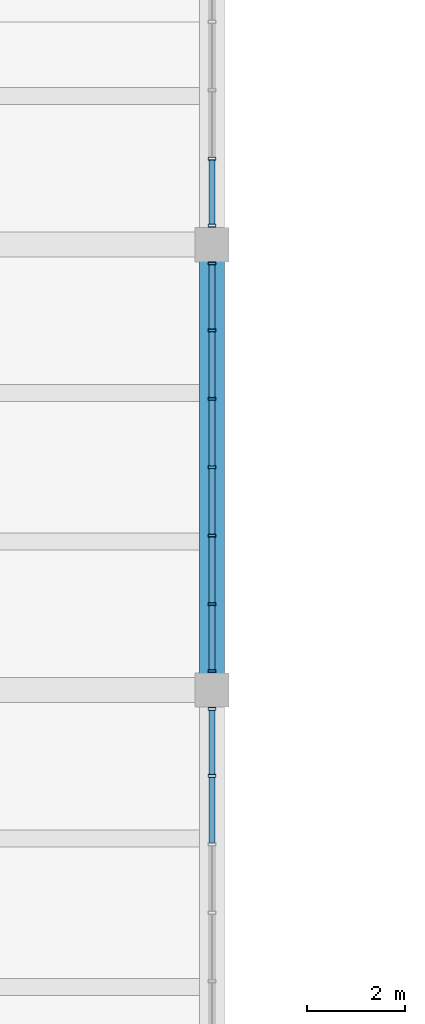
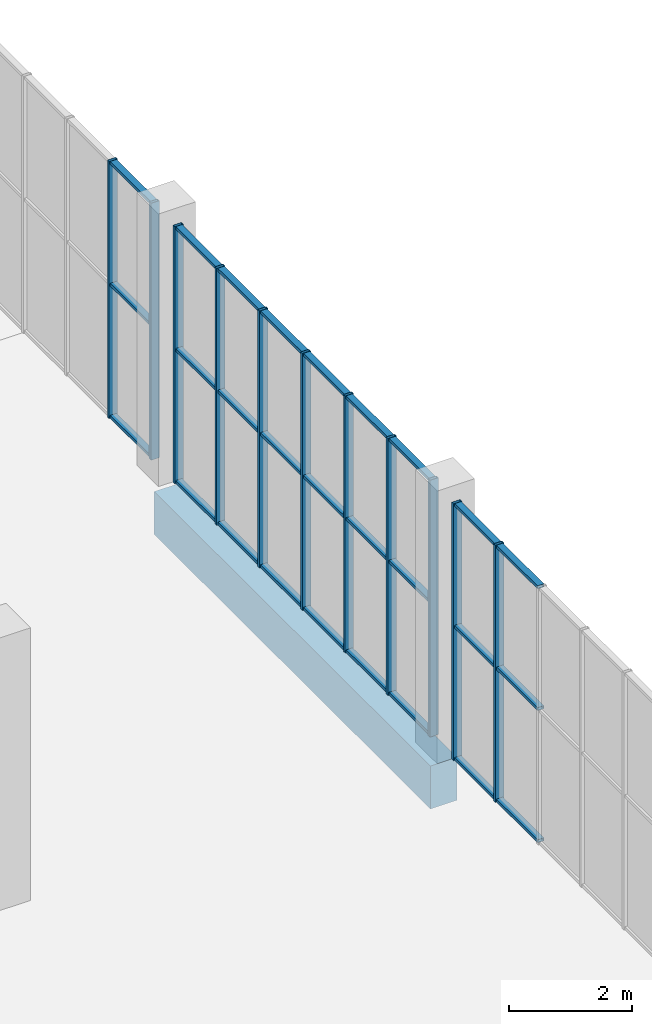
# One storey, part 35 of 91: 38 members, 1 beam, 3 elements without a shape of their own.
"""IFC4 building model written with IfcOpenShell, lengths in metres."""

from ifc_helpers import new_model, si_unit, direction, frame, origin, origin_2d, place, context, subcontext, project, spatial, rectangle, hollow_rectangle, extrude, material, material_profile, profile_set, type_object, element, aggregate, save


model = new_model("IFC4")

# Units and contexts
model_context = context("Model", 3, precision=1e-05, world=origin(), true_north=direction((0.0, 1.0)))
body_context = subcontext(model_context, "Body", "Model", "MODEL_VIEW")
ifc_project = project(units=[si_unit("LENGTHUNIT", "METRE"), si_unit("AREAUNIT", "SQUARE_METRE"), si_unit("VOLUMEUNIT", "CUBIC_METRE"), si_unit("PLANEANGLEUNIT", "RADIAN"), si_unit("MASSUNIT", "GRAM", prefix="KILO")], contexts=[model_context])

# Site, building, storey
site_placement = place(None, origin())
site = spatial("IfcSite", under=ifc_project, at=site_placement, CompositionType="ELEMENT")
building_placement = place(site_placement, origin())
building = spatial("IfcBuilding", under=site, at=building_placement, Name="Khurvash Pelagic Aquarium", CompositionType="ELEMENT")
storey_placement = place(building_placement, origin())
storey = spatial("IfcBuildingStorey", under=building, at=storey_placement, Name="L00", CompositionType="ELEMENT", Elevation=0.0)

# Curtain wall, members
ifc_material_1 = material(Name="Anodised aluminium and low-E laminated glass", Category="aluminium")
curtain_wall_type = type_object("IfcCurtainWallType", Name="CW-05", PredefinedType="USERDEFINED", material=ifc_material_1)
curtain_wall_1_placement = place(storey_placement, origin())
curtain_wall_1 = element("IfcCurtainWall", 1, at=curtain_wall_1_placement, inside=storey, type_object=curtain_wall_type, Name="L00 Facade Unitised Curtain Wall CW-05 0077", ObjectType="UNITISED CURTAIN WALL", PredefinedType="USERDEFINED")
ifc_material_2 = material(Name="Extruded aluminium AW-6063-T6", Category="aluminium")
ifc_material_profile_1 = material_profile(ifc_material_2, hollow_rectangle(XDim=0.06005859375, YDim=0.159912109375, WallThickness=0.00390625, at=origin_2d()), Name="CWM60X160X4")
ifc_profile_set_1 = profile_set([ifc_material_profile_1], Name="Extruded aluminium AW-6063-T6")
member_type_1 = type_object("IfcMemberType", Name="CM-02", PredefinedType="MULLION", material=ifc_profile_set_1)
member_1_placement = place(storey_placement, frame((33.60009765625, 64.205078125, 0.0), z_axis=(0.0, 0.0, 1.0), x_axis=(0.0, 1.0, 0.0)))
member_1 = element("IfcMember", 2, at=member_1_placement, type_object=member_type_1, Name="CW-05 mullion 6", PredefinedType="MULLION", context=body_context, shape_type="SweptSolid", body=[
    extrude(hollow_rectangle(XDim=0.06005859375, YDim=0.159912109375, WallThickness=0.00390625, at=origin_2d()), origin(), (0.0, 0.0, 1.0), 5.090087890625),
])
member_2_placement = place(storey_placement, frame((33.60009765625, 65.56494140625, 0.0), z_axis=(0.0, 0.0, 1.0), x_axis=(0.0, 1.0, 0.0)))
member_2 = element("IfcMember", 3, at=member_2_placement, type_object=member_type_1, Name="CW-05 mullion 7", PredefinedType="MULLION", context=body_context, shape_type="SweptSolid", body=[
    extrude(hollow_rectangle(XDim=0.06005859375, YDim=0.159912109375, WallThickness=0.00390625, at=origin_2d()), origin(), (0.0, 0.0, 1.0), 5.090087890625),
])

curtain_wall_2_placement = place(storey_placement, origin())
curtain_wall_2 = element("IfcCurtainWall", 4, at=curtain_wall_2_placement, inside=storey, type_object=curtain_wall_type, Name="L00 Facade Unitised Curtain Wall CW-05 0078", ObjectType="UNITISED CURTAIN WALL", PredefinedType="USERDEFINED")
member_3_placement = place(storey_placement, frame((33.60009765625, 66.3349609375, 0.0), z_axis=(0.0, 0.0, 1.0), x_axis=(0.0, 1.0, 0.0)))
member_3 = element("IfcMember", 5, at=member_3_placement, type_object=member_type_1, Name="CW-05 mullion 1", PredefinedType="MULLION", context=body_context, shape_type="SweptSolid", body=[
    extrude(hollow_rectangle(XDim=0.06005859375, YDim=0.159912109375, WallThickness=0.00390625, at=origin_2d()), origin(), (0.0, 0.0, 1.0), 5.090087890625),
])
member_4_placement = place(storey_placement, frame((33.60009765625, 67.695068359375, 0.0), z_axis=(0.0, 0.0, 1.0), x_axis=(0.0, 1.0, 0.0)))
member_4 = element("IfcMember", 6, at=member_4_placement, type_object=member_type_1, Name="CW-05 mullion 2", PredefinedType="MULLION", context=body_context, shape_type="SweptSolid", body=[
    extrude(hollow_rectangle(XDim=0.06005859375, YDim=0.159912109375, WallThickness=0.00390625, at=origin_2d()), origin(), (0.0, 0.0, 1.0), 5.090087890625),
])
member_5_placement = place(storey_placement, frame((33.60009765625, 69.0849609375, 0.0), z_axis=(0.0, 0.0, 1.0), x_axis=(0.0, 1.0, 0.0)))
member_5 = element("IfcMember", 7, at=member_5_placement, type_object=member_type_1, Name="CW-05 mullion 3", PredefinedType="MULLION", context=body_context, shape_type="SweptSolid", body=[
    extrude(hollow_rectangle(XDim=0.06005859375, YDim=0.159912109375, WallThickness=0.00390625, at=origin_2d()), origin(), (0.0, 0.0, 1.0), 5.090087890625),
])
member_6_placement = place(storey_placement, frame((33.60009765625, 70.47509765625, 0.0), z_axis=(0.0, 0.0, 1.0), x_axis=(0.0, 1.0, 0.0)))
member_6 = element("IfcMember", 8, at=member_6_placement, type_object=member_type_1, Name="CW-05 mullion 4", PredefinedType="MULLION", context=body_context, shape_type="SweptSolid", body=[
    extrude(hollow_rectangle(XDim=0.06005859375, YDim=0.159912109375, WallThickness=0.00390625, at=origin_2d()), origin(), (0.0, 0.0, 1.0), 5.090087890625),
])
member_7_placement = place(storey_placement, frame((33.60009765625, 71.864990234375, 0.0), z_axis=(0.0, 0.0, 1.0), x_axis=(0.0, 1.0, 0.0)))
member_7 = element("IfcMember", 9, at=member_7_placement, type_object=member_type_1, Name="CW-05 mullion 5", PredefinedType="MULLION", context=body_context, shape_type="SweptSolid", body=[
    extrude(hollow_rectangle(XDim=0.06005859375, YDim=0.159912109375, WallThickness=0.00390625, at=origin_2d()), origin(), (0.0, 0.0, 1.0), 5.090087890625),
])
member_8_placement = place(storey_placement, frame((33.60009765625, 73.2548828125, 0.0), z_axis=(0.0, 0.0, 1.0), x_axis=(0.0, 1.0, 0.0)))
member_8 = element("IfcMember", 10, at=member_8_placement, type_object=member_type_1, Name="CW-05 mullion 6", PredefinedType="MULLION", context=body_context, shape_type="SweptSolid", body=[
    extrude(hollow_rectangle(XDim=0.06005859375, YDim=0.159912109375, WallThickness=0.00390625, at=origin_2d()), origin(), (0.0, 0.0, 1.0), 5.090087890625),
])
member_9_placement = place(storey_placement, frame((33.60009765625, 74.614990234375, 0.0), z_axis=(0.0, 0.0, 1.0), x_axis=(0.0, 1.0, 0.0)))
member_9 = element("IfcMember", 11, at=member_9_placement, type_object=member_type_1, Name="CW-05 mullion 7", PredefinedType="MULLION", context=body_context, shape_type="SweptSolid", body=[
    extrude(hollow_rectangle(XDim=0.06005859375, YDim=0.159912109375, WallThickness=0.00390625, at=origin_2d()), origin(), (0.0, 0.0, 1.0), 5.090087890625),
])

curtain_wall_3_placement = place(storey_placement, origin())
curtain_wall_3 = element("IfcCurtainWall", 12, at=curtain_wall_3_placement, inside=storey, type_object=curtain_wall_type, Name="L00 Facade Unitised Curtain Wall CW-05 0079", ObjectType="UNITISED CURTAIN WALL", PredefinedType="USERDEFINED")
member_10_placement = place(storey_placement, frame((33.60009765625, 75.385009765625, 0.0), z_axis=(0.0, 0.0, 1.0), x_axis=(0.0, 1.0, 0.0)))
member_10 = element("IfcMember", 13, at=member_10_placement, type_object=member_type_1, Name="CW-05 mullion 1", PredefinedType="MULLION", context=body_context, shape_type="SweptSolid", body=[
    extrude(hollow_rectangle(XDim=0.06005859375, YDim=0.159912109375, WallThickness=0.00390625, at=origin_2d()), origin(), (0.0, 0.0, 1.0), 5.090087890625),
])
member_11_placement = place(storey_placement, frame((33.60009765625, 76.7451171875, 0.0), z_axis=(0.0, 0.0, 1.0), x_axis=(0.0, 1.0, 0.0)))
member_11 = element("IfcMember", 14, at=member_11_placement, type_object=member_type_1, Name="CW-05 mullion 2", PredefinedType="MULLION", context=body_context, shape_type="SweptSolid", body=[
    extrude(hollow_rectangle(XDim=0.06005859375, YDim=0.159912109375, WallThickness=0.00390625, at=origin_2d()), origin(), (0.0, 0.0, 1.0), 5.090087890625),
])

# Member
ifc_material_profile_2 = material_profile(ifc_material_2, hollow_rectangle(XDim=0.1201171875, YDim=0.06005859375, WallThickness=0.00390625, at=origin_2d()), Name="CWT120X60X4")
ifc_profile_set_2 = profile_set([ifc_material_profile_2], Name="Extruded aluminium AW-6063-T6")
member_type_2 = type_object("IfcMemberType", Name="CT-02", PredefinedType="USERDEFINED", material=ifc_profile_set_2)
member_12_placement = place(storey_placement, frame((33.60009765625, 62.844970703125, 0.030029296875), z_axis=(0.0, 1.0, 0.0), x_axis=(-1.0, 0.0, 0.0)))
member_12 = element("IfcMember", 15, at=member_12_placement, type_object=member_type_2, Name="CW-05 transom 5.1", ObjectType="TRANSOM", PredefinedType="USERDEFINED", context=body_context, shape_type="SweptSolid", body=[
    extrude(hollow_rectangle(XDim=0.1201171875, YDim=0.06005859375, WallThickness=0.00390625, at=origin_2d()), origin(), (0.0, 0.0, 1.0), 1.330078125),
])

member_13_placement = place(storey_placement, frame((33.60009765625, 62.844970703125, 2.64697265625), z_axis=(0.0, 1.0, 0.0), x_axis=(-1.0, 0.0, 0.0)))
member_13 = element("IfcMember", 16, at=member_13_placement, type_object=member_type_2, Name="CW-05 transom 5.2", ObjectType="TRANSOM", PredefinedType="USERDEFINED", context=body_context, shape_type="SweptSolid", body=[
    extrude(hollow_rectangle(XDim=0.1201171875, YDim=0.06005859375, WallThickness=0.00390625, at=origin_2d()), origin(), (0.0, 0.0, 1.0), 1.330078125),
])

member_14_placement = place(storey_placement, frame((33.60009765625, 62.844970703125, 5.06005859375), z_axis=(0.0, 1.0, 0.0), x_axis=(-1.0, 0.0, 0.0)))
member_14 = element("IfcMember", 17, at=member_14_placement, type_object=member_type_2, Name="CW-05 transom 5.3", ObjectType="TRANSOM", PredefinedType="USERDEFINED", context=body_context, shape_type="SweptSolid", body=[
    extrude(hollow_rectangle(XDim=0.1201171875, YDim=0.06005859375, WallThickness=0.00390625, at=origin_2d()), origin(), (0.0, 0.0, 1.0), 1.330078125),
])

member_15_placement = place(storey_placement, frame((33.60009765625, 64.235107421875, 0.030029296875), z_axis=(0.0, 1.0, 0.0), x_axis=(-1.0, 0.0, 0.0)))
member_15 = element("IfcMember", 18, at=member_15_placement, type_object=member_type_2, Name="CW-05 transom 6.1", ObjectType="TRANSOM", PredefinedType="USERDEFINED", context=body_context, shape_type="SweptSolid", body=[
    extrude(hollow_rectangle(XDim=0.1201171875, YDim=0.06005859375, WallThickness=0.00390625, at=origin_2d()), origin(), (0.0, 0.0, 1.0), 1.2998046875),
])

member_16_placement = place(storey_placement, frame((33.60009765625, 64.235107421875, 2.64697265625), z_axis=(0.0, 1.0, 0.0), x_axis=(-1.0, 0.0, 0.0)))
member_16 = element("IfcMember", 19, at=member_16_placement, type_object=member_type_2, Name="CW-05 transom 6.2", ObjectType="TRANSOM", PredefinedType="USERDEFINED", context=body_context, shape_type="SweptSolid", body=[
    extrude(hollow_rectangle(XDim=0.1201171875, YDim=0.06005859375, WallThickness=0.00390625, at=origin_2d()), origin(), (0.0, 0.0, 1.0), 1.2998046875),
])

member_17_placement = place(storey_placement, frame((33.60009765625, 64.235107421875, 5.06005859375), z_axis=(0.0, 1.0, 0.0), x_axis=(-1.0, 0.0, 0.0)))
member_17 = element("IfcMember", 20, at=member_17_placement, type_object=member_type_2, Name="CW-05 transom 6.3", ObjectType="TRANSOM", PredefinedType="USERDEFINED", context=body_context, shape_type="SweptSolid", body=[
    extrude(hollow_rectangle(XDim=0.1201171875, YDim=0.06005859375, WallThickness=0.00390625, at=origin_2d()), origin(), (0.0, 0.0, 1.0), 1.2998046875),
])

aggregate(curtain_wall_1, [member_1, member_2, member_12, member_13, member_14, member_15, member_16, member_17])

member_18_placement = place(storey_placement, frame((33.60009765625, 66.364990234375, 0.030029296875), z_axis=(0.0, 1.0, 0.0), x_axis=(-1.0, 0.0, 0.0)))
member_18 = element("IfcMember", 21, at=member_18_placement, type_object=member_type_2, Name="CW-05 transom 1.1", ObjectType="TRANSOM", PredefinedType="USERDEFINED", context=body_context, shape_type="SweptSolid", body=[
    extrude(hollow_rectangle(XDim=0.1201171875, YDim=0.06005859375, WallThickness=0.00390625, at=origin_2d()), origin(), (0.0, 0.0, 1.0), 1.300048828125),
])

member_19_placement = place(storey_placement, frame((33.60009765625, 66.364990234375, 2.64697265625), z_axis=(0.0, 1.0, 0.0), x_axis=(-1.0, 0.0, 0.0)))
member_19 = element("IfcMember", 22, at=member_19_placement, type_object=member_type_2, Name="CW-05 transom 1.2", ObjectType="TRANSOM", PredefinedType="USERDEFINED", context=body_context, shape_type="SweptSolid", body=[
    extrude(hollow_rectangle(XDim=0.1201171875, YDim=0.06005859375, WallThickness=0.00390625, at=origin_2d()), origin(), (0.0, 0.0, 1.0), 1.300048828125),
])

member_20_placement = place(storey_placement, frame((33.60009765625, 66.364990234375, 5.06005859375), z_axis=(0.0, 1.0, 0.0), x_axis=(-1.0, 0.0, 0.0)))
member_20 = element("IfcMember", 23, at=member_20_placement, type_object=member_type_2, Name="CW-05 transom 1.3", ObjectType="TRANSOM", PredefinedType="USERDEFINED", context=body_context, shape_type="SweptSolid", body=[
    extrude(hollow_rectangle(XDim=0.1201171875, YDim=0.06005859375, WallThickness=0.00390625, at=origin_2d()), origin(), (0.0, 0.0, 1.0), 1.300048828125),
])

member_21_placement = place(storey_placement, frame((33.60009765625, 67.72509765625, 0.030029296875), z_axis=(0.0, 1.0, 0.0), x_axis=(-1.0, 0.0, 0.0)))
member_21 = element("IfcMember", 24, at=member_21_placement, type_object=member_type_2, Name="CW-05 transom 2.1", ObjectType="TRANSOM", PredefinedType="USERDEFINED", context=body_context, shape_type="SweptSolid", body=[
    extrude(hollow_rectangle(XDim=0.1201171875, YDim=0.06005859375, WallThickness=0.00390625, at=origin_2d()), origin(), (0.0, 0.0, 1.0), 1.329833984375),
])

member_22_placement = place(storey_placement, frame((33.60009765625, 67.72509765625, 2.64697265625), z_axis=(0.0, 1.0, 0.0), x_axis=(-1.0, 0.0, 0.0)))
member_22 = element("IfcMember", 25, at=member_22_placement, type_object=member_type_2, Name="CW-05 transom 2.2", ObjectType="TRANSOM", PredefinedType="USERDEFINED", context=body_context, shape_type="SweptSolid", body=[
    extrude(hollow_rectangle(XDim=0.1201171875, YDim=0.06005859375, WallThickness=0.00390625, at=origin_2d()), origin(), (0.0, 0.0, 1.0), 1.329833984375),
])

member_23_placement = place(storey_placement, frame((33.60009765625, 67.72509765625, 5.06005859375), z_axis=(0.0, 1.0, 0.0), x_axis=(-1.0, 0.0, 0.0)))
member_23 = element("IfcMember", 26, at=member_23_placement, type_object=member_type_2, Name="CW-05 transom 2.3", ObjectType="TRANSOM", PredefinedType="USERDEFINED", context=body_context, shape_type="SweptSolid", body=[
    extrude(hollow_rectangle(XDim=0.1201171875, YDim=0.06005859375, WallThickness=0.00390625, at=origin_2d()), origin(), (0.0, 0.0, 1.0), 1.329833984375),
])

member_24_placement = place(storey_placement, frame((33.60009765625, 69.114990234375, 0.030029296875), z_axis=(0.0, 1.0, 0.0), x_axis=(-1.0, 0.0, 0.0)))
member_24 = element("IfcMember", 27, at=member_24_placement, type_object=member_type_2, Name="CW-05 transom 3.1", ObjectType="TRANSOM", PredefinedType="USERDEFINED", context=body_context, shape_type="SweptSolid", body=[
    extrude(hollow_rectangle(XDim=0.1201171875, YDim=0.06005859375, WallThickness=0.00390625, at=origin_2d()), origin(), (0.0, 0.0, 1.0), 1.330078125),
])

member_25_placement = place(storey_placement, frame((33.60009765625, 69.114990234375, 2.64697265625), z_axis=(0.0, 1.0, 0.0), x_axis=(-1.0, 0.0, 0.0)))
member_25 = element("IfcMember", 28, at=member_25_placement, type_object=member_type_2, Name="CW-05 transom 3.2", ObjectType="TRANSOM", PredefinedType="USERDEFINED", context=body_context, shape_type="SweptSolid", body=[
    extrude(hollow_rectangle(XDim=0.1201171875, YDim=0.06005859375, WallThickness=0.00390625, at=origin_2d()), origin(), (0.0, 0.0, 1.0), 1.330078125),
])

member_26_placement = place(storey_placement, frame((33.60009765625, 69.114990234375, 5.06005859375), z_axis=(0.0, 1.0, 0.0), x_axis=(-1.0, 0.0, 0.0)))
member_26 = element("IfcMember", 29, at=member_26_placement, type_object=member_type_2, Name="CW-05 transom 3.3", ObjectType="TRANSOM", PredefinedType="USERDEFINED", context=body_context, shape_type="SweptSolid", body=[
    extrude(hollow_rectangle(XDim=0.1201171875, YDim=0.06005859375, WallThickness=0.00390625, at=origin_2d()), origin(), (0.0, 0.0, 1.0), 1.330078125),
])

member_27_placement = place(storey_placement, frame((33.60009765625, 70.5048828125, 0.030029296875), z_axis=(0.0, 1.0, 0.0), x_axis=(-1.0, 0.0, 0.0)))
member_27 = element("IfcMember", 30, at=member_27_placement, type_object=member_type_2, Name="CW-05 transom 4.1", ObjectType="TRANSOM", PredefinedType="USERDEFINED", context=body_context, shape_type="SweptSolid", body=[
    extrude(hollow_rectangle(XDim=0.1201171875, YDim=0.06005859375, WallThickness=0.00390625, at=origin_2d()), origin(), (0.0, 0.0, 1.0), 1.330078125),
])

member_28_placement = place(storey_placement, frame((33.60009765625, 70.5048828125, 2.64697265625), z_axis=(0.0, 1.0, 0.0), x_axis=(-1.0, 0.0, 0.0)))
member_28 = element("IfcMember", 31, at=member_28_placement, type_object=member_type_2, Name="CW-05 transom 4.2", ObjectType="TRANSOM", PredefinedType="USERDEFINED", context=body_context, shape_type="SweptSolid", body=[
    extrude(hollow_rectangle(XDim=0.1201171875, YDim=0.06005859375, WallThickness=0.00390625, at=origin_2d()), origin(), (0.0, 0.0, 1.0), 1.330078125),
])

member_29_placement = place(storey_placement, frame((33.60009765625, 70.5048828125, 5.06005859375), z_axis=(0.0, 1.0, 0.0), x_axis=(-1.0, 0.0, 0.0)))
member_29 = element("IfcMember", 32, at=member_29_placement, type_object=member_type_2, Name="CW-05 transom 4.3", ObjectType="TRANSOM", PredefinedType="USERDEFINED", context=body_context, shape_type="SweptSolid", body=[
    extrude(hollow_rectangle(XDim=0.1201171875, YDim=0.06005859375, WallThickness=0.00390625, at=origin_2d()), origin(), (0.0, 0.0, 1.0), 1.330078125),
])

member_30_placement = place(storey_placement, frame((33.60009765625, 71.89501953125, 0.030029296875), z_axis=(0.0, 1.0, 0.0), x_axis=(-1.0, 0.0, 0.0)))
member_30 = element("IfcMember", 33, at=member_30_placement, type_object=member_type_2, Name="CW-05 transom 5.1", ObjectType="TRANSOM", PredefinedType="USERDEFINED", context=body_context, shape_type="SweptSolid", body=[
    extrude(hollow_rectangle(XDim=0.1201171875, YDim=0.06005859375, WallThickness=0.00390625, at=origin_2d()), origin(), (0.0, 0.0, 1.0), 1.330078125),
])

member_31_placement = place(storey_placement, frame((33.60009765625, 71.89501953125, 2.64697265625), z_axis=(0.0, 1.0, 0.0), x_axis=(-1.0, 0.0, 0.0)))
member_31 = element("IfcMember", 34, at=member_31_placement, type_object=member_type_2, Name="CW-05 transom 5.2", ObjectType="TRANSOM", PredefinedType="USERDEFINED", context=body_context, shape_type="SweptSolid", body=[
    extrude(hollow_rectangle(XDim=0.1201171875, YDim=0.06005859375, WallThickness=0.00390625, at=origin_2d()), origin(), (0.0, 0.0, 1.0), 1.330078125),
])

member_32_placement = place(storey_placement, frame((33.60009765625, 71.89501953125, 5.06005859375), z_axis=(0.0, 1.0, 0.0), x_axis=(-1.0, 0.0, 0.0)))
member_32 = element("IfcMember", 35, at=member_32_placement, type_object=member_type_2, Name="CW-05 transom 5.3", ObjectType="TRANSOM", PredefinedType="USERDEFINED", context=body_context, shape_type="SweptSolid", body=[
    extrude(hollow_rectangle(XDim=0.1201171875, YDim=0.06005859375, WallThickness=0.00390625, at=origin_2d()), origin(), (0.0, 0.0, 1.0), 1.330078125),
])

member_33_placement = place(storey_placement, frame((33.60009765625, 73.284912109375, 0.030029296875), z_axis=(0.0, 1.0, 0.0), x_axis=(-1.0, 0.0, 0.0)))
member_33 = element("IfcMember", 36, at=member_33_placement, type_object=member_type_2, Name="CW-05 transom 6.1", ObjectType="TRANSOM", PredefinedType="USERDEFINED", context=body_context, shape_type="SweptSolid", body=[
    extrude(hollow_rectangle(XDim=0.1201171875, YDim=0.06005859375, WallThickness=0.00390625, at=origin_2d()), origin(), (0.0, 0.0, 1.0), 1.300048828125),
])

member_34_placement = place(storey_placement, frame((33.60009765625, 73.284912109375, 2.64697265625), z_axis=(0.0, 1.0, 0.0), x_axis=(-1.0, 0.0, 0.0)))
member_34 = element("IfcMember", 37, at=member_34_placement, type_object=member_type_2, Name="CW-05 transom 6.2", ObjectType="TRANSOM", PredefinedType="USERDEFINED", context=body_context, shape_type="SweptSolid", body=[
    extrude(hollow_rectangle(XDim=0.1201171875, YDim=0.06005859375, WallThickness=0.00390625, at=origin_2d()), origin(), (0.0, 0.0, 1.0), 1.300048828125),
])

member_35_placement = place(storey_placement, frame((33.60009765625, 73.284912109375, 5.06005859375), z_axis=(0.0, 1.0, 0.0), x_axis=(-1.0, 0.0, 0.0)))
member_35 = element("IfcMember", 38, at=member_35_placement, type_object=member_type_2, Name="CW-05 transom 6.3", ObjectType="TRANSOM", PredefinedType="USERDEFINED", context=body_context, shape_type="SweptSolid", body=[
    extrude(hollow_rectangle(XDim=0.1201171875, YDim=0.06005859375, WallThickness=0.00390625, at=origin_2d()), origin(), (0.0, 0.0, 1.0), 1.300048828125),
])

aggregate(curtain_wall_2, [member_3, member_4, member_5, member_6, member_7, member_8, member_9, member_18, member_19, member_20, member_21, member_22, member_23, member_24, member_25, member_26, member_27, member_28, member_29, member_30, member_31, member_32, member_33, member_34, member_35])

member_36_placement = place(storey_placement, frame((33.60009765625, 75.4150390625, 0.030029296875), z_axis=(0.0, 1.0, 0.0), x_axis=(-1.0, 0.0, 0.0)))
member_36 = element("IfcMember", 39, at=member_36_placement, type_object=member_type_2, Name="CW-05 transom 1.1", ObjectType="TRANSOM", PredefinedType="USERDEFINED", context=body_context, shape_type="SweptSolid", body=[
    extrude(hollow_rectangle(XDim=0.1201171875, YDim=0.06005859375, WallThickness=0.00390625, at=origin_2d()), origin(), (0.0, 0.0, 1.0), 1.300048828125),
])

member_37_placement = place(storey_placement, frame((33.60009765625, 75.4150390625, 2.64697265625), z_axis=(0.0, 1.0, 0.0), x_axis=(-1.0, 0.0, 0.0)))
member_37 = element("IfcMember", 40, at=member_37_placement, type_object=member_type_2, Name="CW-05 transom 1.2", ObjectType="TRANSOM", PredefinedType="USERDEFINED", context=body_context, shape_type="SweptSolid", body=[
    extrude(hollow_rectangle(XDim=0.1201171875, YDim=0.06005859375, WallThickness=0.00390625, at=origin_2d()), origin(), (0.0, 0.0, 1.0), 1.300048828125),
])

member_38_placement = place(storey_placement, frame((33.60009765625, 75.4150390625, 5.06005859375), z_axis=(0.0, 1.0, 0.0), x_axis=(-1.0, 0.0, 0.0)))
member_38 = element("IfcMember", 41, at=member_38_placement, type_object=member_type_2, Name="CW-05 transom 1.3", ObjectType="TRANSOM", PredefinedType="USERDEFINED", context=body_context, shape_type="SweptSolid", body=[
    extrude(hollow_rectangle(XDim=0.1201171875, YDim=0.06005859375, WallThickness=0.00390625, at=origin_2d()), origin(), (0.0, 0.0, 1.0), 1.300048828125),
])

aggregate(curtain_wall_3, [member_10, member_11, member_36, member_37, member_38])

# Beam
ifc_material_3 = material(Name="Concrete C40/50", Category="concrete")
ifc_material_profile_3 = material_profile(ifc_material_3, rectangle(XDim=0.5, YDim=0.85009765625, at=origin_2d()), Name="RC500X850")
ifc_profile_set_3 = profile_set([ifc_material_profile_3], Name="Concrete C40/50")
beam_type = type_object("IfcBeamType", Name="SEB-03", PredefinedType="SPANDREL", material=ifc_profile_set_3)
beam_placement = place(storey_placement, frame((33.60009765625, 65.989990234375, -0.7451171875), z_axis=(0.0, 1.0, 0.0), x_axis=(-1.0, 0.0, 0.0)))
element("IfcBeam", 42, at=beam_placement, inside=storey, type_object=beam_type, Name="L00 Primary Girder SEB-03 00095", PredefinedType="SPANDREL", context=body_context, shape_type="SweptSolid", body=[
    extrude(rectangle(XDim=0.5, YDim=0.85009765625, at=origin_2d()), origin(), (0.0, 0.0, 1.0), 8.969970703125),
])

save(model, "model.ifc")
